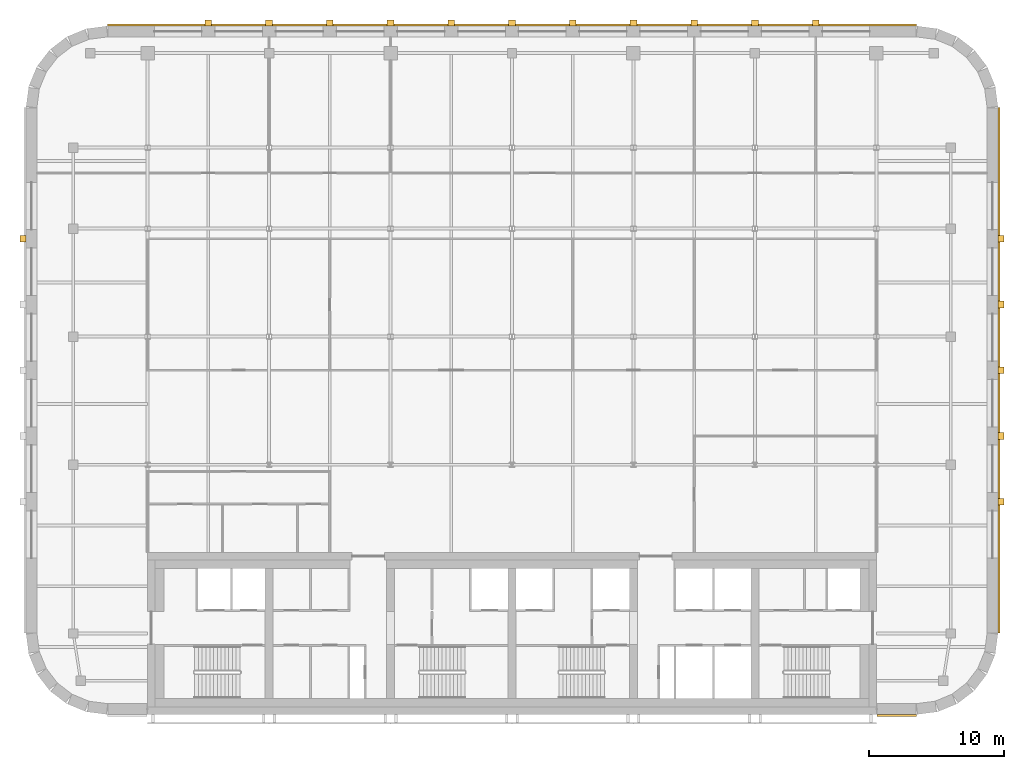
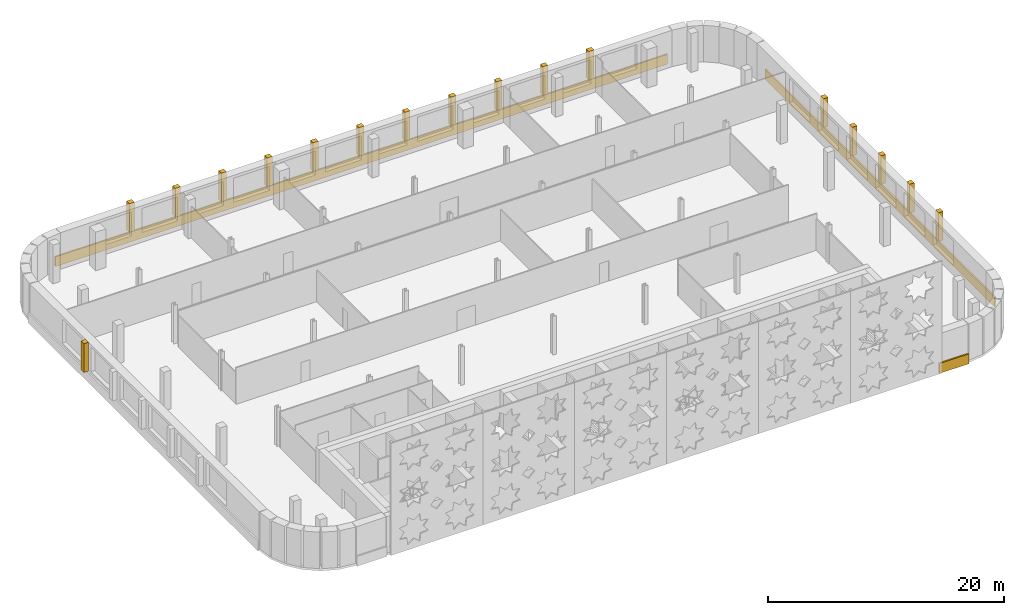
# One storey, part 15 of 15: 20 coverings.
"""IFC4 building model written with IfcOpenShell, lengths in metres."""

from ifc_helpers import new_model, si_unit, direction, frame, origin, place, context, subcontext, project, spatial, polyline, outline, extrude, material, layer, layer_set, type_object, element, save


model = new_model("IFC4")

# Units and contexts
model_context = context("Model", 3, precision=1e-05, world=origin(), true_north=direction((0.0, 1.0)))
body_context = subcontext(model_context, "Body", "Model", "MODEL_VIEW")
ifc_project = project(units=[si_unit("LENGTHUNIT", "METRE"), si_unit("AREAUNIT", "SQUARE_METRE"), si_unit("VOLUMEUNIT", "CUBIC_METRE"), si_unit("PLANEANGLEUNIT", "RADIAN"), si_unit("MASSUNIT", "GRAM", prefix="KILO")], contexts=[model_context])

# Site, building, storey
site_placement = place(None, origin())
site = spatial("IfcSite", under=ifc_project, at=site_placement, CompositionType="ELEMENT")
building_placement = place(site_placement, origin())
building = spatial("IfcBuilding", under=site, at=building_placement, Name="Zellij Exchange Tower", CompositionType="ELEMENT")
storey_placement = place(building_placement, frame((0.0, 0.0, 276.5)))
storey = spatial("IfcBuildingStorey", under=building, at=storey_placement, Name="L65", CompositionType="ELEMENT", Elevation=276.5)

# Coverings
ifc_material = material(Name="Limestone cladding", Category="masonry")
ifc_layer = layer(ifc_material, 0.14990234375)
ifc_layer_set = layer_set([ifc_layer], Name="Limestone cladding")
covering_type_1 = type_object("IfcCoveringType", Name="ENV-CV1 Stone spandrel band 150", PredefinedType="CLADDING", material=ifc_layer_set)
covering_1_placement = place(storey_placement, frame((0.0, 0.0, -0.219970703125)))
element("IfcCovering", 1, at=covering_1_placement, inside=storey, type_object=covering_type_1, Name="Stone spandrel band", PredefinedType="CLADDING", context=body_context, shape_type="SweptSolid", body=[
    extrude(outline(polyline([(27.050048828125, -14.0), (29.973876953125, -14.0), (29.973876953125, -14.14990234375), (27.050048828125, -14.14990234375), (27.050048828125, -14.0)])), origin(), (0.0, 0.0, 1.0), 1.02001953125),
])
covering_2_placement = place(storey_placement, frame((0.0, 0.0, -0.219970703125)))
element("IfcCovering", 2, at=covering_2_placement, inside=storey, type_object=covering_type_1, Name="Stone spandrel band", PredefinedType="CLADDING", context=body_context, shape_type="SweptSolid", body=[
    extrude(outline(polyline([(36.0, -7.973876953125), (36.0, 30.973876953125), (36.14990234375, 30.983642578125), (36.14990234375, -7.983642578125), (36.0, -7.973876953125)])), origin(), (0.0, 0.0, 1.0), 1.02001953125),
])
covering_3_placement = place(storey_placement, frame((0.0, 0.0, -0.219970703125)))
element("IfcCovering", 3, at=covering_3_placement, inside=storey, type_object=covering_type_1, Name="Stone spandrel band", PredefinedType="CLADDING", context=body_context, shape_type="SweptSolid", body=[
    extrude(outline(polyline([(29.973876953125, 37.0), (-29.973876953125, 37.0), (-29.983642578125, 37.14990234375), (29.983642578125, 37.14990234375), (29.973876953125, 37.0)])), origin(), (0.0, 0.0, 1.0), 1.02001953125),
])
covering_type_2 = type_object("IfcCoveringType", Name="ENV-CV4 Stone pier 500x450", PredefinedType="CLADDING", material=ifc_material)
covering_4_placement = place(storey_placement, frame((0.0, 0.0, 0.800048828125)))
element("IfcCovering", 4, at=covering_4_placement, inside=storey, type_object=covering_type_2, Name="Stone pier", PredefinedType="CLADDING", context=body_context, shape_type="SweptSolid", body=[
    extrude(outline(polyline([(36.0, 1.51318359375), (36.0, 2.01318359375), (36.449951171875, 2.01318359375), (36.449951171875, 1.51318359375), (36.0, 1.51318359375)])), origin(), (0.0, 0.0, 1.0), 2.97998046875),
])
covering_5_placement = place(storey_placement, frame((0.0, 0.0, 0.800048828125)))
element("IfcCovering", 5, at=covering_5_placement, inside=storey, type_object=covering_type_2, Name="Stone pier", PredefinedType="CLADDING", context=body_context, shape_type="SweptSolid", body=[
    extrude(outline(polyline([(36.0, 6.381591796875), (36.0, 6.881591796875), (36.449951171875, 6.881591796875), (36.449951171875, 6.381591796875), (36.0, 6.381591796875)])), origin(), (0.0, 0.0, 1.0), 2.97998046875),
])
covering_6_placement = place(storey_placement, frame((0.0, 0.0, 0.800048828125)))
element("IfcCovering", 6, at=covering_6_placement, inside=storey, type_object=covering_type_2, Name="Stone pier", PredefinedType="CLADDING", context=body_context, shape_type="SweptSolid", body=[
    extrude(outline(polyline([(36.0, 11.25), (36.0, 11.75), (36.449951171875, 11.75), (36.449951171875, 11.25), (36.0, 11.25)])), origin(), (0.0, 0.0, 1.0), 2.97998046875),
])
covering_7_placement = place(storey_placement, frame((0.0, 0.0, 0.800048828125)))
element("IfcCovering", 7, at=covering_7_placement, inside=storey, type_object=covering_type_2, Name="Stone pier", PredefinedType="CLADDING", context=body_context, shape_type="SweptSolid", body=[
    extrude(outline(polyline([(36.0, 16.118408203125), (36.0, 16.618408203125), (36.449951171875, 16.618408203125), (36.449951171875, 16.118408203125), (36.0, 16.118408203125)])), origin(), (0.0, 0.0, 1.0), 2.97998046875),
])
covering_8_placement = place(storey_placement, frame((0.0, 0.0, 0.800048828125)))
element("IfcCovering", 8, at=covering_8_placement, inside=storey, type_object=covering_type_2, Name="Stone pier", PredefinedType="CLADDING", context=body_context, shape_type="SweptSolid", body=[
    extrude(outline(polyline([(36.0, 20.98681640625), (36.0, 21.48681640625), (36.449951171875, 21.48681640625), (36.449951171875, 20.98681640625), (36.0, 20.98681640625)])), origin(), (0.0, 0.0, 1.0), 2.97998046875),
])
covering_9_placement = place(storey_placement, frame((0.0, 0.0, 0.800048828125)))
element("IfcCovering", 9, at=covering_9_placement, inside=storey, type_object=covering_type_2, Name="Stone pier", PredefinedType="CLADDING", context=body_context, shape_type="SweptSolid", body=[
    extrude(outline(polyline([(22.75, 37.0), (22.25, 37.0), (22.25, 37.449951171875), (22.75, 37.449951171875), (22.75, 37.0)])), origin(), (0.0, 0.0, 1.0), 2.97998046875),
])
covering_10_placement = place(storey_placement, frame((0.0, 0.0, 0.800048828125)))
element("IfcCovering", 10, at=covering_10_placement, inside=storey, type_object=covering_type_2, Name="Stone pier", PredefinedType="CLADDING", context=body_context, shape_type="SweptSolid", body=[
    extrude(outline(polyline([(18.25, 37.0), (17.75, 37.0), (17.75, 37.449951171875), (18.25, 37.449951171875), (18.25, 37.0)])), origin(), (0.0, 0.0, 1.0), 2.97998046875),
])
covering_11_placement = place(storey_placement, frame((0.0, 0.0, 0.800048828125)))
element("IfcCovering", 11, at=covering_11_placement, inside=storey, type_object=covering_type_2, Name="Stone pier", PredefinedType="CLADDING", context=body_context, shape_type="SweptSolid", body=[
    extrude(outline(polyline([(13.75, 37.0), (13.25, 37.0), (13.25, 37.449951171875), (13.75, 37.449951171875), (13.75, 37.0)])), origin(), (0.0, 0.0, 1.0), 2.97998046875),
])
covering_12_placement = place(storey_placement, frame((0.0, 0.0, 0.800048828125)))
element("IfcCovering", 12, at=covering_12_placement, inside=storey, type_object=covering_type_2, Name="Stone pier", PredefinedType="CLADDING", context=body_context, shape_type="SweptSolid", body=[
    extrude(outline(polyline([(9.25, 37.0), (8.75, 37.0), (8.75, 37.449951171875), (9.25, 37.449951171875), (9.25, 37.0)])), origin(), (0.0, 0.0, 1.0), 2.97998046875),
])
covering_13_placement = place(storey_placement, frame((0.0, 0.0, 0.800048828125)))
element("IfcCovering", 13, at=covering_13_placement, inside=storey, type_object=covering_type_2, Name="Stone pier", PredefinedType="CLADDING", context=body_context, shape_type="SweptSolid", body=[
    extrude(outline(polyline([(4.75, 37.0), (4.25, 37.0), (4.25, 37.449951171875), (4.75, 37.449951171875), (4.75, 37.0)])), origin(), (0.0, 0.0, 1.0), 2.97998046875),
])
covering_14_placement = place(storey_placement, frame((0.0, 0.0, 0.800048828125)))
element("IfcCovering", 14, at=covering_14_placement, inside=storey, type_object=covering_type_2, Name="Stone pier", PredefinedType="CLADDING", context=body_context, shape_type="SweptSolid", body=[
    extrude(outline(polyline([(0.25, 37.0), (-0.25, 37.0), (-0.25, 37.449951171875), (0.25, 37.449951171875), (0.25, 37.0)])), origin(), (0.0, 0.0, 1.0), 2.97998046875),
])
covering_15_placement = place(storey_placement, frame((0.0, 0.0, 0.800048828125)))
element("IfcCovering", 15, at=covering_15_placement, inside=storey, type_object=covering_type_2, Name="Stone pier", PredefinedType="CLADDING", context=body_context, shape_type="SweptSolid", body=[
    extrude(outline(polyline([(-4.25, 37.0), (-4.75, 37.0), (-4.75, 37.449951171875), (-4.25, 37.449951171875), (-4.25, 37.0)])), origin(), (0.0, 0.0, 1.0), 2.97998046875),
])
covering_16_placement = place(storey_placement, frame((0.0, 0.0, 0.800048828125)))
element("IfcCovering", 16, at=covering_16_placement, inside=storey, type_object=covering_type_2, Name="Stone pier", PredefinedType="CLADDING", context=body_context, shape_type="SweptSolid", body=[
    extrude(outline(polyline([(-8.75, 37.0), (-9.25, 37.0), (-9.25, 37.449951171875), (-8.75, 37.449951171875), (-8.75, 37.0)])), origin(), (0.0, 0.0, 1.0), 2.97998046875),
])
covering_17_placement = place(storey_placement, frame((0.0, 0.0, 0.800048828125)))
element("IfcCovering", 17, at=covering_17_placement, inside=storey, type_object=covering_type_2, Name="Stone pier", PredefinedType="CLADDING", context=body_context, shape_type="SweptSolid", body=[
    extrude(outline(polyline([(-13.25, 37.0), (-13.75, 37.0), (-13.75, 37.449951171875), (-13.25, 37.449951171875), (-13.25, 37.0)])), origin(), (0.0, 0.0, 1.0), 2.97998046875),
])
covering_18_placement = place(storey_placement, frame((0.0, 0.0, 0.800048828125)))
element("IfcCovering", 18, at=covering_18_placement, inside=storey, type_object=covering_type_2, Name="Stone pier", PredefinedType="CLADDING", context=body_context, shape_type="SweptSolid", body=[
    extrude(outline(polyline([(-17.75, 37.0), (-18.25, 37.0), (-18.25, 37.449951171875), (-17.75, 37.449951171875), (-17.75, 37.0)])), origin(), (0.0, 0.0, 1.0), 2.97998046875),
])
covering_19_placement = place(storey_placement, frame((0.0, 0.0, 0.800048828125)))
element("IfcCovering", 19, at=covering_19_placement, inside=storey, type_object=covering_type_2, Name="Stone pier", PredefinedType="CLADDING", context=body_context, shape_type="SweptSolid", body=[
    extrude(outline(polyline([(-22.25, 37.0), (-22.75, 37.0), (-22.75, 37.449951171875), (-22.25, 37.449951171875), (-22.25, 37.0)])), origin(), (0.0, 0.0, 1.0), 2.97998046875),
])
covering_20_placement = place(storey_placement, frame((0.0, 0.0, 0.800048828125)))
element("IfcCovering", 20, at=covering_20_placement, inside=storey, type_object=covering_type_2, Name="Stone pier", PredefinedType="CLADDING", context=body_context, shape_type="SweptSolid", body=[
    extrude(outline(polyline([(-36.0, 21.48681640625), (-36.0, 20.98681640625), (-36.449951171875, 20.98681640625), (-36.449951171875, 21.48681640625), (-36.0, 21.48681640625)])), origin(), (0.0, 0.0, 1.0), 2.97998046875),
])

save(model, "model.ifc")
